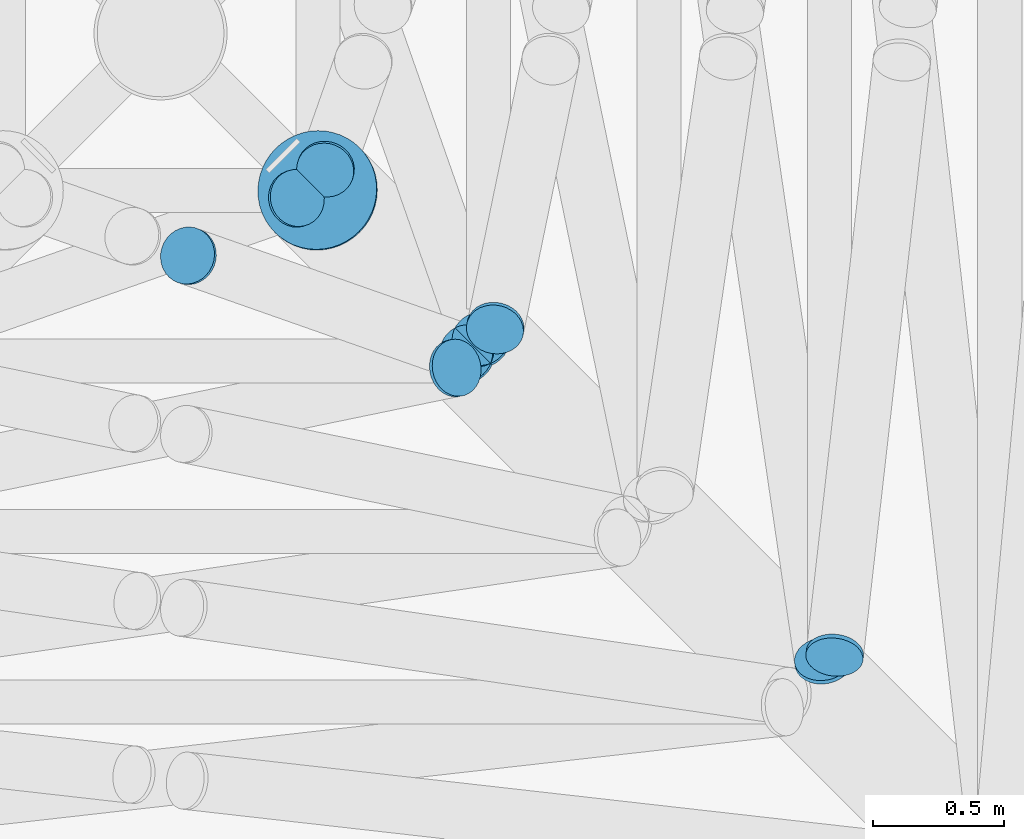
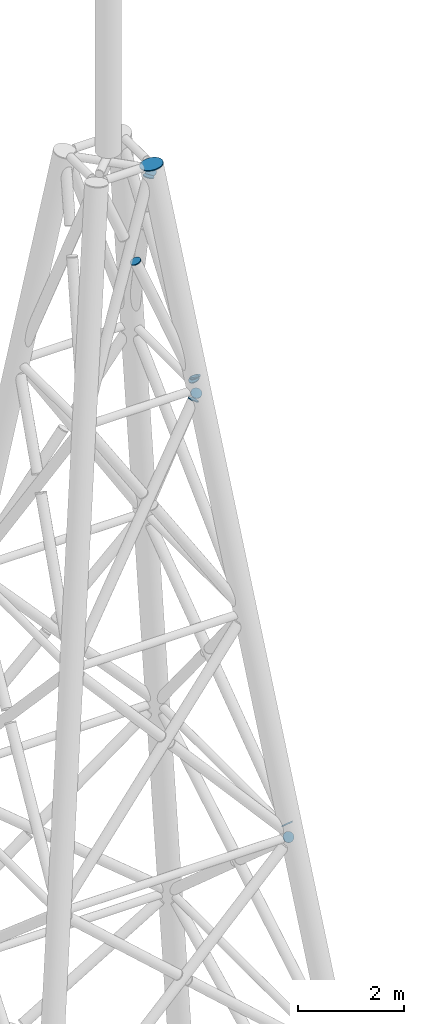
# One storey, part 7 of 10: 10 discrete accessories.
"""IFC4 building model written with IfcOpenShell, lengths in metres."""

from ifc_helpers import new_model, si_unit, direction, frame, origin, origin_2d, place, context, subcontext, project, spatial, circle, extrude, material, material_profile, profile_set, type_object, element, save


model = new_model("IFC4")

# Units and contexts
model_context = context("Model", 3, precision=1e-05, world=origin(), true_north=direction((0.0, 1.0)))
body_context = subcontext(model_context, "Body", "Model", "MODEL_VIEW")
ifc_project = project(units=[si_unit("LENGTHUNIT", "METRE"), si_unit("AREAUNIT", "SQUARE_METRE"), si_unit("VOLUMEUNIT", "CUBIC_METRE"), si_unit("PLANEANGLEUNIT", "RADIAN"), si_unit("MASSUNIT", "GRAM", prefix="KILO")], contexts=[model_context])

# Site, building, storey
site_placement = place(None, origin())
site = spatial("IfcSite", under=ifc_project, at=site_placement, CompositionType="ELEMENT")
building_placement = place(site_placement, origin())
building = spatial("IfcBuilding", under=site, at=building_placement, Name="Dhurran Vertical Campus", CompositionType="ELEMENT")
storey_placement = place(building_placement, frame((0.0, 0.0, 345.89990234375)))
storey = spatial("IfcBuildingStorey", under=building, at=storey_placement, Name="Upper Roof", CompositionType="ELEMENT", Elevation=345.89990234375)

# Discrete accessories
ifc_material_1 = material(Name="Steel S355J2", Category="steel")
ifc_material_profile_1 = material_profile(ifc_material_1, circle(Radius=0.109619140625, at=origin_2d()), Name="Tube end cap 219 x 20")
ifc_profile_set_1 = profile_set([ifc_material_profile_1], Name="Steel S355J2")
discrete_accessory_type_1 = type_object("IfcDiscreteAccessoryType", Name="Tube end cap 219 x 20", PredefinedType="USERDEFINED", material=ifc_profile_set_1)
for number, where, z_axis, x_axis, name in (
    (1, (2.571044921875, -2.36328125, 16.4375), (-0.085608099119, -0.746013435179, 0.66040533606), (0.993480071526, -0.114005909847, 0.0), "EC1 mast diag 2 030 capB"),
    (2, (2.52587890625, -2.385498046875, 16.784912109375), (0.097728262603, -0.659665772572, -0.74517800235), (0.989203462354, 0.146548661089, 0.0), "EC1 mast diag 3 040 capA"),
    (3, (1.118408203125, -1.277099609375, 26.39111328125), (0.525681799245, 0.110026423098, 0.843535910417), (-0.204863154123, 0.978790625253, 0.0), "EC1 mast diag 4 049 capB"),
    (4, (1.277099609375, -1.118408203125, 26.39111328125), (-0.110026423098, -0.525681799245, 0.843535910417), (0.978790625253, -0.204863154123, 0.0), "EC1 mast diag 4 054 capB"),
    (5, (0.514404296875, -0.630126953125, 31.368896484375), (0.343100156977, 0.122535770349, 0.931271854652), (-0.336336396998, 0.941741911595, 0.0), "EC1 mast diag 5 061 capB"),
    (6, (1.164306640625, -1.219970703125, 26.831298828125), (0.353842768022, -0.122014747594, -0.927312081712), (0.325990683319, 0.945372981626, 0.0), "EC1 mast diag 5 062 capA"),
    (7, (0.109619140625, -0.849365234375, 29.681884765625), (-0.343100156977, 0.122535770349, 0.931271854652), (-0.336336396998, -0.941741911595, 0.0), "EC1 mast diag 5 062 capB"),
    (8, (1.219970703125, -1.164306640625, 26.831298828125), (0.122014747594, -0.353842768022, -0.927312081712), (0.945372981626, 0.325990683319, 0.0), "EC1 mast diag 5 064 capA"),
    (9, (0.630126953125, -0.514404296875, 31.368896484375), (-0.122535770349, -0.343100156977, 0.931271854652), (0.941741911595, -0.336336396998, 0.0), "EC1 mast diag 5 066 capB"),
):
    element("IfcDiscreteAccessory", number, at=place(storey_placement, frame(where, z_axis=z_axis, x_axis=x_axis)), inside=storey, type_object=discrete_accessory_type_1, Name=name, ObjectType="END CAP", PredefinedType="USERDEFINED", context=body_context, shape_type="SweptSolid", body=[
        extrude(circle(Radius=0.109619140625, at=origin_2d()), origin(), (0.0, 0.0, 1.0), 0.02001953125),
    ])
ifc_material_2 = material(Name="Steel S355J2", Category="steel")
ifc_material_profile_2 = material_profile(ifc_material_2, circle(Radius=0.228515625, at=origin_2d()), Name="Tube end cap 457 x 20")
ifc_profile_set_2 = profile_set([ifc_material_profile_2], Name="Steel S355J2")
discrete_accessory_type_2 = type_object("IfcDiscreteAccessoryType", Name="Tube end cap 457 x 20", PredefinedType="USERDEFINED", material=ifc_profile_set_2)
discrete_accessory_placement = place(storey_placement, frame((0.60009765625, -0.60009765625, 31.60009765625), z_axis=(-0.133365178225, 0.133365178225, 0.982052676018), x_axis=(-0.707106781187, -0.707106781187, 0.0)))
element("IfcDiscreteAccessory", 10, at=discrete_accessory_placement, inside=storey, type_object=discrete_accessory_type_2, Name="EC1 mast leg2 cap", ObjectType="END CAP", PredefinedType="USERDEFINED", context=body_context, shape_type="SweptSolid", body=[
    extrude(circle(Radius=0.228515625, at=origin_2d()), origin(), (0.0, 0.0, 1.0), 0.02001953125),
])

save(model, "model.ifc")
